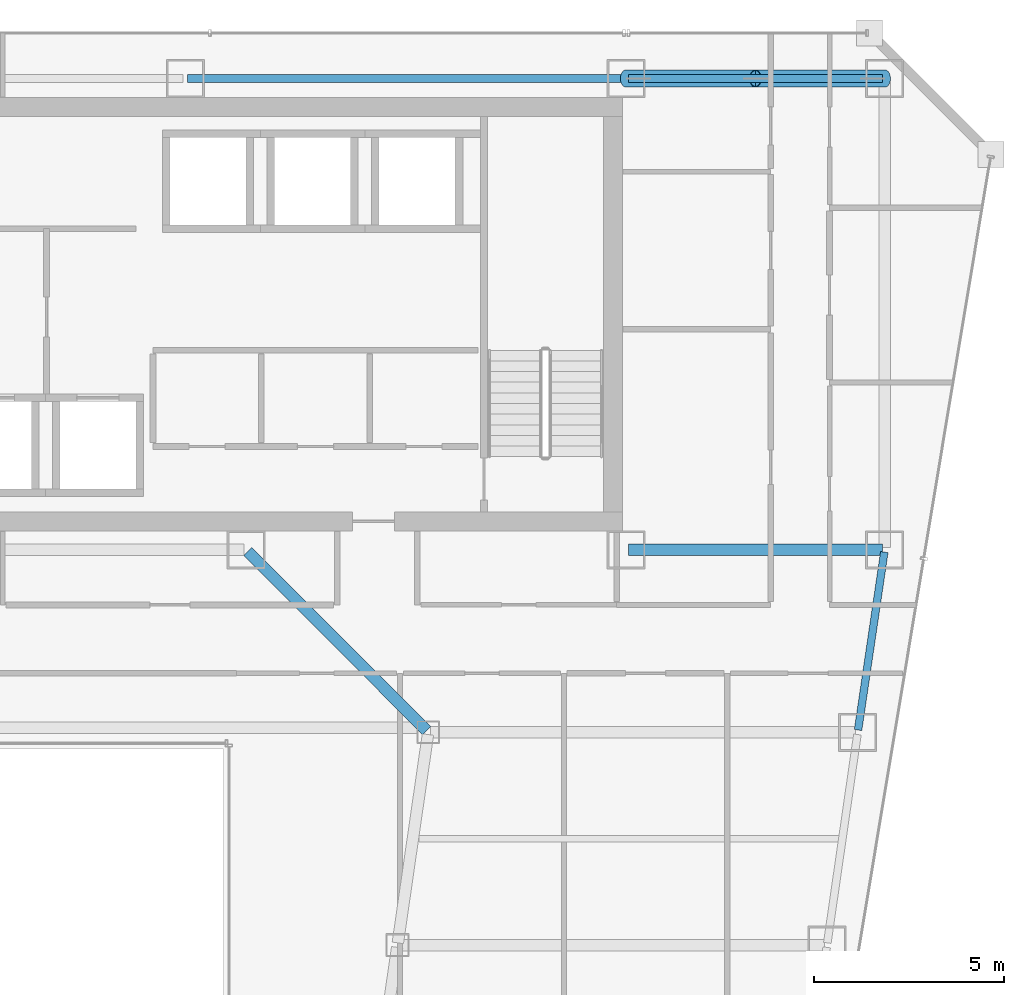
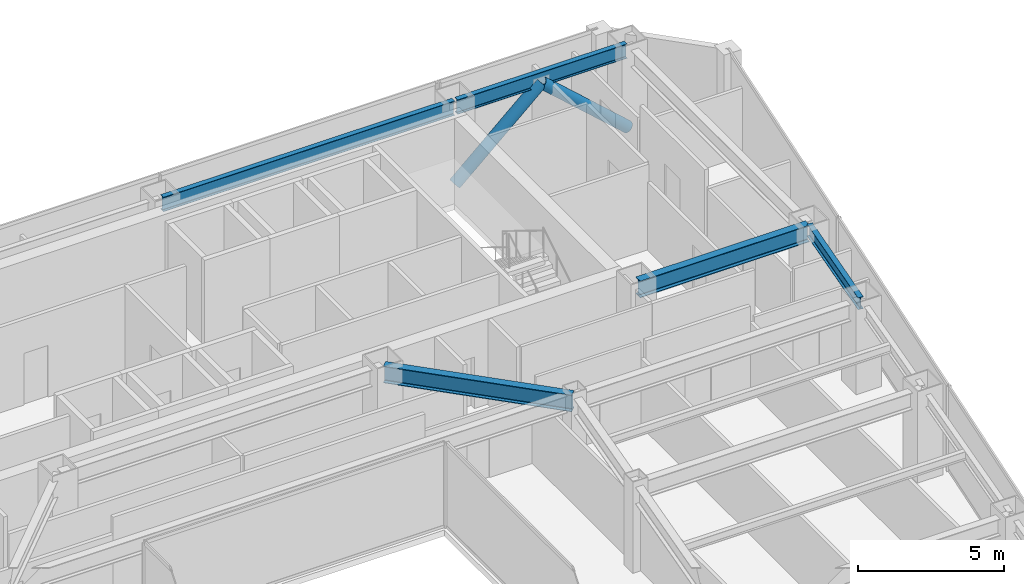
# One storey, part 25 of 37: 5 beams, 2 members.
"""IFC4 building model written with IfcOpenShell, lengths in metres."""

from ifc_helpers import new_model, si_unit, direction, frame, origin, origin_2d, place, context, subcontext, project, spatial, hollow_circle, i_section, extrude, material, material_profile, profile_set, type_object, element, save


model = new_model("IFC4")

# Units and contexts
model_context = context("Model", 3, precision=1e-05, world=origin(), true_north=direction((0.0, 1.0)))
body_context = subcontext(model_context, "Body", "Model", "MODEL_VIEW")
ifc_project = project(units=[si_unit("LENGTHUNIT", "METRE"), si_unit("AREAUNIT", "SQUARE_METRE"), si_unit("VOLUMEUNIT", "CUBIC_METRE"), si_unit("PLANEANGLEUNIT", "RADIAN"), si_unit("MASSUNIT", "GRAM", prefix="KILO")], contexts=[model_context])

# Site, building, storey
site_placement = place(None, origin())
site = spatial("IfcSite", under=ifc_project, at=site_placement, CompositionType="ELEMENT")
building_placement = place(site_placement, origin())
building = spatial("IfcBuilding", under=site, at=building_placement, Name="Saevonmaru Cultural Tower", CompositionType="ELEMENT")
storey_placement = place(building_placement, frame((0.0, 0.0, 144.800048828125)))
storey = spatial("IfcBuildingStorey", under=building, at=storey_placement, Name="L31", CompositionType="ELEMENT", Elevation=144.800048828125)

# Beams
ifc_material_1 = material(Name="Steel SM355", Category="steel")
ifc_material_profile_1 = material_profile(ifc_material_1, i_section(OverallWidth=0.300048828125, OverallDepth=0.699951171875, WebThickness=0.012939453125, FlangeThickness=0.02392578125, FilletRadius=0.02587890625, at=origin_2d()), Name="H-700x300x13x24")
ifc_profile_set_1 = profile_set([ifc_material_profile_1], Name="Steel SM355")
beam_type_1 = type_object("IfcBeamType", Name="BM-G-H700", PredefinedType="BEAM", material=ifc_profile_set_1)
beam_1_placement = place(storey_placement, frame((46.4599609375, 42.39990234375, 3.199951171875), z_axis=(1.0, 0.0, 0.0), x_axis=(0.0, 1.0, 0.0)))
element("IfcBeam", 1, at=beam_1_placement, inside=storey, type_object=beam_type_1, Name="L31 Core South Girder 5", PredefinedType="BEAM", context=body_context, shape_type="SweptSolid", body=[
    extrude(i_section(OverallWidth=0.300048828125, OverallDepth=0.699951171875, WebThickness=0.012939453125, FlangeThickness=0.02392578125, FilletRadius=0.02587890625, at=origin_2d()), origin(), (0.0, 0.0, 1.0), 6.679931640625),
])
beam_2_placement = place(storey_placement, frame((41.149658203125, 37.642578125, 3.199951171875), z_axis=(-0.706538566564, 0.707674539572, 0.0), x_axis=(-0.707674539572, -0.706538566564, 0.0)))
element("IfcBeam", 2, at=beam_2_placement, inside=storey, type_object=beam_type_1, Name="L31 East Atrium Girder 5", PredefinedType="BEAM", context=body_context, shape_type="SweptSolid", body=[
    extrude(i_section(OverallWidth=0.300048828125, OverallDepth=0.699951171875, WebThickness=0.012939453125, FlangeThickness=0.02392578125, FilletRadius=0.02587890625, at=origin_2d()), origin(), (0.0, 0.0, 1.0), 6.662353515625),
])
ifc_material_profile_2 = material_profile(ifc_material_1, i_section(OverallWidth=0.199951171875, OverallDepth=0.5, WebThickness=0.010009765625, FlangeThickness=0.01611328125, FilletRadius=0.02001953125, at=origin_2d()), Name="H-500x200x10x16")
ifc_profile_set_2 = profile_set([ifc_material_profile_2], Name="Steel SM355")
beam_type_2 = type_object("IfcBeamType", Name="BM-SP-H500", PredefinedType="SPANDREL", material=ifc_profile_set_2)
beam_3_placement = place(storey_placement, frame((52.500732421875, 37.659423828125, 3.300048828125), z_axis=(0.145912860028, 0.989297446312, 0.0), x_axis=(-0.989297446312, 0.145912860028, 0.0)))
element("IfcBeam", 3, at=beam_3_placement, inside=storey, type_object=beam_type_2, Name="L31 East Splayed Spandrel 5", PredefinedType="SPANDREL", context=body_context, shape_type="SweptSolid", body=[
    extrude(i_section(OverallWidth=0.199951171875, OverallDepth=0.5, WebThickness=0.010009765625, FlangeThickness=0.01611328125, FilletRadius=0.02001953125, at=origin_2d()), origin(), (0.0, 0.0, 1.0), 4.731689453125),
])
ifc_material_profile_3 = material_profile(ifc_material_1, i_section(OverallWidth=0.199951171875, OverallDepth=0.60009765625, WebThickness=0.010986328125, FlangeThickness=0.01708984375, FilletRadius=0.02197265625, at=origin_2d()), Name="H-600x200x11x17")
ifc_profile_set_3 = profile_set([ifc_material_profile_3], Name="Steel SM355")
beam_type_3 = type_object("IfcBeamType", Name="BM-SP-H600", PredefinedType="SPANDREL", material=ifc_profile_set_3)
beam_4_placement = place(storey_placement, frame((34.860107421875, 54.800048828125, 3.25), z_axis=(1.0, 0.0, 0.0), x_axis=(0.0, 1.0, 0.0)))
element("IfcBeam", 4, at=beam_4_placement, inside=storey, type_object=beam_type_3, Name="L31 North Spine Girder 4", PredefinedType="SPANDREL", context=body_context, shape_type="SweptSolid", body=[
    extrude(i_section(OverallWidth=0.199951171875, OverallDepth=0.60009765625, WebThickness=0.010986328125, FlangeThickness=0.01708984375, FilletRadius=0.02197265625, at=origin_2d()), origin(), (0.0, 0.0, 1.0), 11.47998046875),
])
beam_5_placement = place(storey_placement, frame((46.4599609375, 54.800048828125, 3.25), z_axis=(1.0, 0.0, 0.0), x_axis=(0.0, 1.0, 0.0)))
element("IfcBeam", 5, at=beam_5_placement, inside=storey, type_object=beam_type_3, Name="L31 North Spine Girder 5", PredefinedType="SPANDREL", context=body_context, shape_type="SweptSolid", body=[
    extrude(i_section(OverallWidth=0.199951171875, OverallDepth=0.60009765625, WebThickness=0.010986328125, FlangeThickness=0.01708984375, FilletRadius=0.02197265625, at=origin_2d()), origin(), (0.0, 0.0, 1.0), 6.679931640625),
])

# Members
ifc_material_2 = material(Name="Steel SM420", Category="steel")
ifc_material_profile_4 = material_profile(ifc_material_2, hollow_circle(Radius=0.228515625, WallThickness=0.02001953125, at=origin_2d()), Name="CHS-457.2x20")
ifc_profile_set_4 = profile_set([ifc_material_profile_4], Name="Steel SM420")
member_type = type_object("IfcMemberType", Name="MB-PBR-CHS457", PredefinedType="BRACE", material=ifc_profile_set_4)
for number, where, z_axis, x_axis, name in (
    (6, (46.39990234375, 54.800048828125, 0.02001953125), (0.744390779303, 0.0, 0.66774423823), (0.0, 1.0, 0.0), "L31 Perimeter Braced-Tube Diagonal EN1"),
    (7, (53.199951171875, 54.800048828125, 0.02001953125), (-0.744366945704, 0.0, 0.667770806597), (0.0, -1.0, 0.0), "L31 Perimeter Braced-Tube Diagonal EN2"),
):
    element("IfcMember", number, at=place(storey_placement, frame(where, z_axis=z_axis, x_axis=x_axis)), inside=storey, type_object=member_type, Name=name, PredefinedType="BRACE", context=body_context, shape_type="SweptSolid", body=[
        extrude(hollow_circle(Radius=0.228515625, WallThickness=0.02001953125, at=origin_2d()), origin(), (0.0, 0.0, 1.0), 4.567626953125),
    ])

save(model, "model.ifc")
